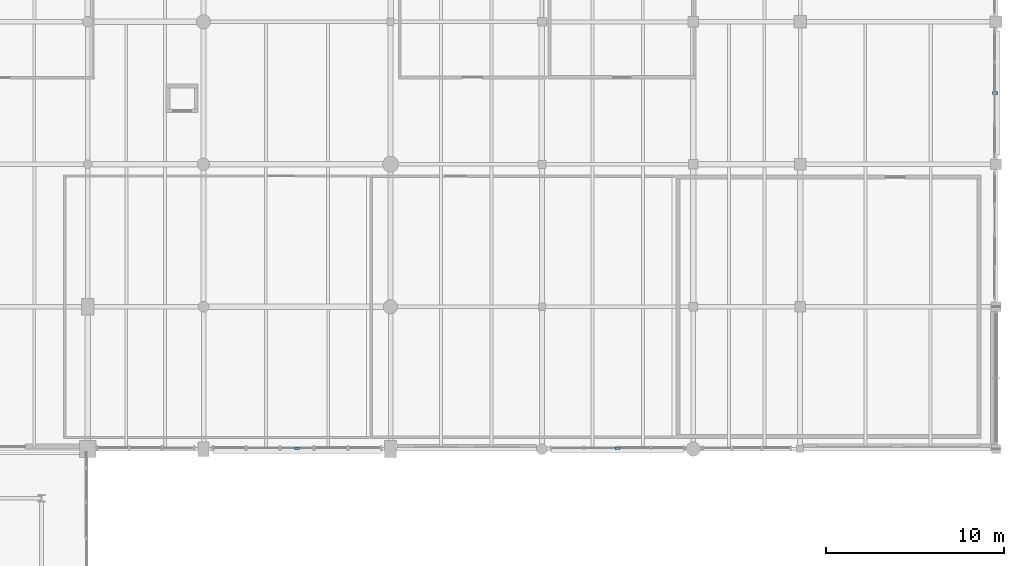
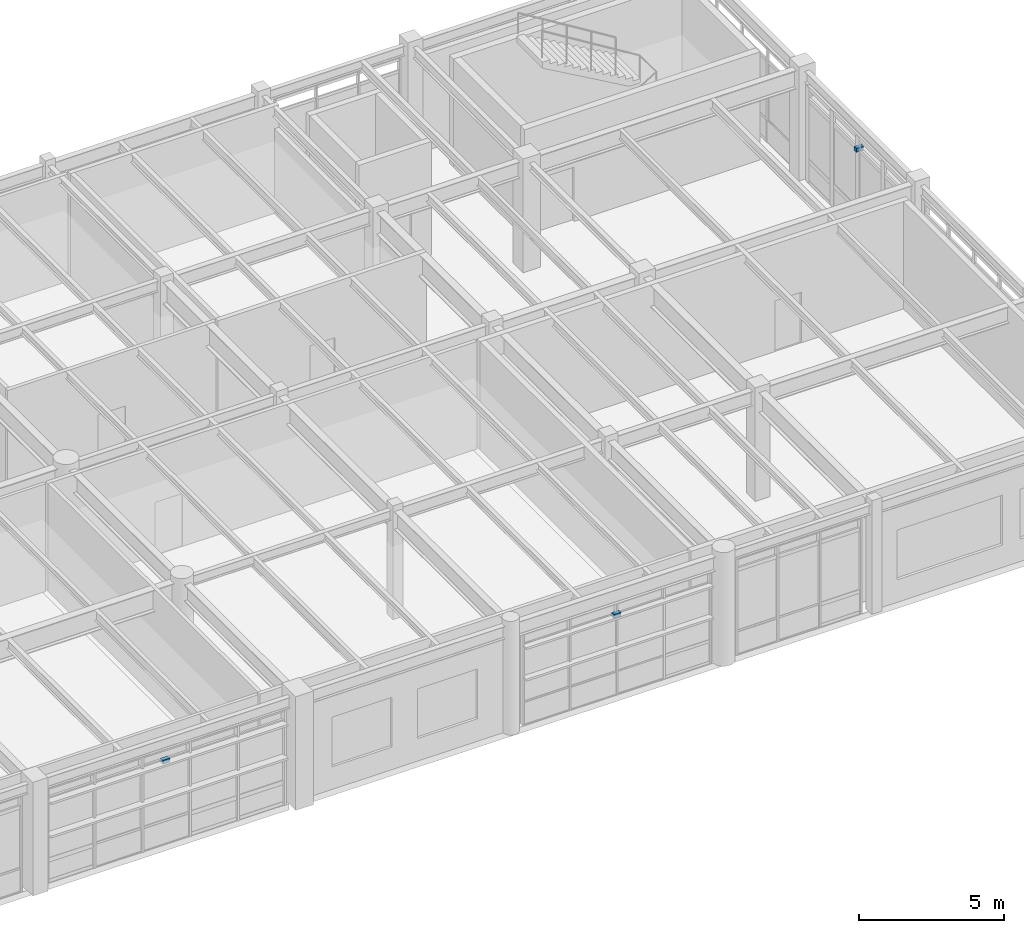
# One storey, part 189 of 200: 3 discrete accessories.
"""IFC4 building model written with IfcOpenShell, lengths in metres."""

from ifc_helpers import new_model, si_unit, direction, frame, origin, origin_2d, place, context, subcontext, project, spatial, rectangle, extrude, material, type_object, element, save


model = new_model("IFC4")

# Units and contexts
model_context = context("Model", 3, precision=1e-05, world=origin(), true_north=direction((0.0, 1.0)))
body_context = subcontext(model_context, "Body", "Model", "MODEL_VIEW")
ifc_project = project(units=[si_unit("LENGTHUNIT", "METRE"), si_unit("AREAUNIT", "SQUARE_METRE"), si_unit("VOLUMEUNIT", "CUBIC_METRE"), si_unit("PLANEANGLEUNIT", "RADIAN"), si_unit("MASSUNIT", "GRAM", prefix="KILO"), si_unit("THERMODYNAMICTEMPERATUREUNIT", "KELVIN"), si_unit("POWERUNIT", "WATT")], contexts=[model_context])

# Site, building, storey
site_placement = place(None, origin())
site = spatial("IfcSite", under=ifc_project, at=site_placement, CompositionType="ELEMENT")
building_placement = place(site_placement, origin())
building = spatial("IfcBuilding", under=site, at=building_placement, Name="Tepalcoro Natatorium and Aquatics Centre", CompositionType="ELEMENT")
storey_placement = place(building_placement, frame((0.0, 0.0, 5.39990234375)))
storey = spatial("IfcBuildingStorey", under=building, at=storey_placement, Name="L01", CompositionType="ELEMENT", Elevation=5.39990234375)

# Discrete accessories
ifc_material_1 = material(Name="Plate Steel ASTM A572 Grade 50 (Fy 345 MPa)", Category="steel")
discrete_accessory_type_1 = type_object("IfcDiscreteAccessoryType", Name="BRK_FACADE_GALV", PredefinedType="BRACKET", material=ifc_material_1)
for number, where, z_axis, x_axis, name in (
    (1, (136.75, 86.05615234375, 3.43994140625), (0.0, 0.0, 1.0), (1.0, 0.0, 0.0), "Solar Shading Outrigger Bracket BRK_FACADE_GALV"),
    (2, (175.938720703125, 106.0, 3.43994140625), (0.0, 0.0, 1.0), (1.0, 0.0, 0.0), "Solar Shading Outrigger Bracket BRK_FACADE_GALV"),
):
    element("IfcDiscreteAccessory", number, at=place(storey_placement, frame(where, z_axis=z_axis, x_axis=x_axis)), inside=storey, type_object=discrete_accessory_type_1, Name=name, PredefinedType="BRACKET", context=body_context, shape_type="SweptSolid", body=[
        extrude(rectangle(XDim=0.280029296875, YDim=0.159912109375, at=origin_2d()), origin(), (0.0, 0.0, 1.0), 0.159912109375),
    ])
ifc_material_2 = material(Name="Marine-Grade Brushed Stainless Steel AISI 316L", Category="steel")
discrete_accessory_type_2 = type_object("IfcDiscreteAccessoryType", Name="BRK_SEISMIC_SS", PredefinedType="BRACKET", material=ifc_material_2)
discrete_accessory_placement = place(storey_placement, frame((154.75, 86.05615234375, 3.2880859375), z_axis=(0.0, 0.0, 1.0), x_axis=(1.0, 0.0, 0.0)))
element("IfcDiscreteAccessory", 3, at=discrete_accessory_placement, inside=storey, type_object=discrete_accessory_type_2, Name="Solar Shading Outrigger Bracket BRK_SEISMIC_SS", PredefinedType="BRACKET", context=body_context, shape_type="SweptSolid", body=[
    extrude(rectangle(XDim=0.280029296875, YDim=0.159912109375, at=origin_2d()), origin(), (0.0, 0.0, 1.0), 0.159912109375),
])

save(model, "model.ifc")
